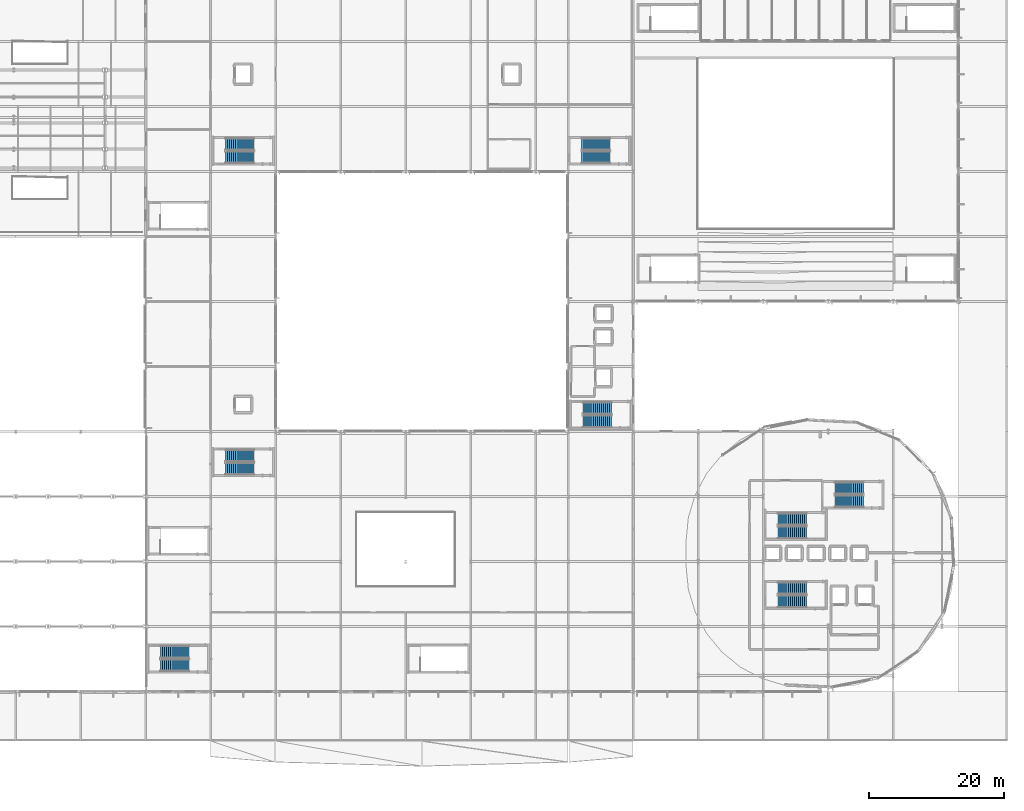
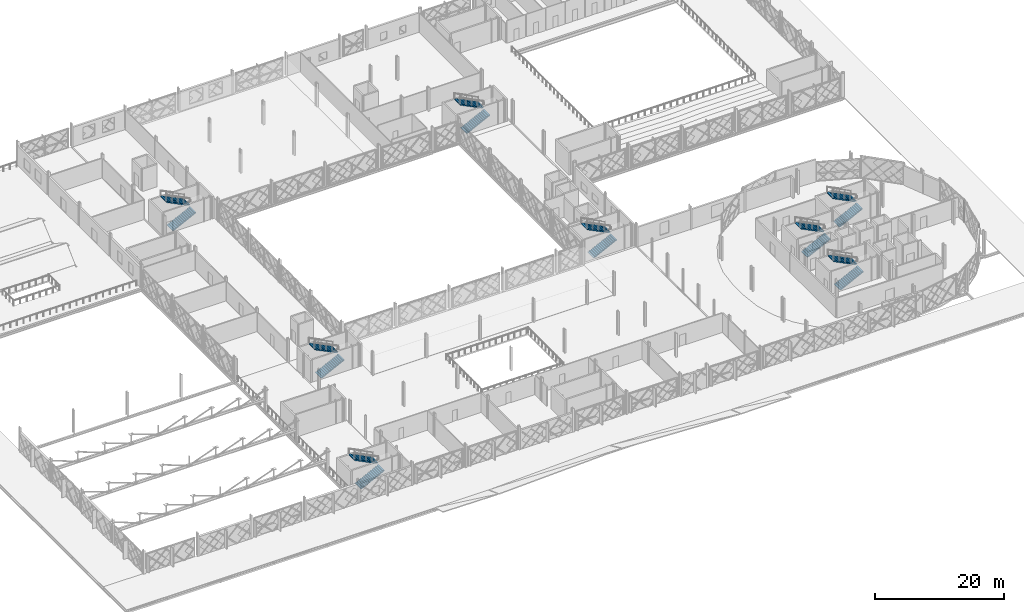
# One storey, part 73 of 101: 16 stair flights, 8 elements without a shape of their own.
"""IFC4 building model written with IfcOpenShell, lengths in metres."""

from ifc_helpers import new_model, si_unit, direction, frame, origin, place, context, subcontext, project, spatial, polyline, outline, extrude, material, layer, layer_set, type_object, element, aggregate, save


model = new_model("IFC4")

# Units and contexts
model_context = context("Model", 3, precision=1e-05, world=origin(), true_north=direction((0.0, 1.0)))
body_context = subcontext(model_context, "Body", "Model", "MODEL_VIEW")
ifc_project = project(units=[si_unit("LENGTHUNIT", "METRE"), si_unit("AREAUNIT", "SQUARE_METRE"), si_unit("VOLUMEUNIT", "CUBIC_METRE"), si_unit("PLANEANGLEUNIT", "RADIAN"), si_unit("MASSUNIT", "GRAM", prefix="KILO")], contexts=[model_context])

# Site, building, storey
site_placement = place(None, origin())
site = spatial("IfcSite", under=ifc_project, at=site_placement, CompositionType="ELEMENT")
building_placement = place(site_placement, origin())
building = spatial("IfcBuilding", under=site, at=building_placement, Name="Zevrakil Square Congress Hotel", CompositionType="ELEMENT")
storey_placement = place(building_placement, frame((0.0, 0.0, 5.39990234375)))
storey = spatial("IfcBuildingStorey", under=building, at=storey_placement, Name="L02", CompositionType="ELEMENT", Elevation=5.39990234375)

# Stair, stair flights
ifc_material_1 = material(Name="Concrete C35/45", Category="concrete")
stair_type = type_object("IfcStairType", Name="STR-DOGLEG-180", PredefinedType="HALF_TURN_STAIR", material=ifc_material_1)
stair_1_placement = place(storey_placement, origin())
stair_1 = element("IfcStair", 1, at=stair_1_placement, inside=storey, type_object=stair_type, Name="L02 Protected exit stair ST01", PredefinedType="HALF_TURN_STAIR")
ifc_material_2 = material(Name="Concrete C35/45", Category="concrete")
ifc_layer = layer(ifc_material_2, 0.159912109375)
ifc_layer_set = layer_set([ifc_layer], Name="Concrete C35/45")
stair_flight_type = type_object("IfcStairFlightType", Name="SFL-STRAIGHT-180", PredefinedType="STRAIGHT", material=ifc_layer_set)
stair_flight_1_placement = place(storey_placement, frame((139.0, 20.5, 0.0), z_axis=(0.0, 0.0, 1.0), x_axis=(1.0, 0.0, 0.0)))
stair_flight_1 = element("IfcStairFlight", 2, at=stair_flight_1_placement, type_object=stair_flight_type, Name="ST01 flight 1", NumberOfRisers=15, NumberOfTreads=14, PredefinedType="STRAIGHT", RiserHeight=0.15, TreadLength=0.3, context=body_context, shape_type="SweptSolid", body=[
    extrude(outline(polyline([(0.0, 0.0), (0.0, 0.14990234375), (0.300048828125, 0.14990234375), (0.300048828125, 0.300048828125), (0.60009765625, 0.300048828125), (0.60009765625, 0.449951171875), (0.89990234375, 0.449951171875), (0.89990234375, 0.60009765625), (1.199951171875, 0.60009765625), (1.199951171875, 0.75), (1.5, 0.75), (1.5, 0.89990234375), (1.800048828125, 0.89990234375), (1.800048828125, 1.050048828125), (2.10009765625, 1.050048828125), (2.10009765625, 1.199951171875), (2.39990234375, 1.199951171875), (2.39990234375, 1.35009765625), (2.699951171875, 1.35009765625), (2.699951171875, 1.5), (3.0, 1.5), (3.0, 1.64990234375), (3.300048828125, 1.64990234375), (3.300048828125, 1.800048828125), (3.60009765625, 1.800048828125), (3.60009765625, 1.949951171875), (3.89990234375, 1.949951171875), (3.89990234375, 2.10009765625), (4.199951171875, 2.10009765625), (4.199951171875, 2.25), (4.199951171875, 1.932373046875), (0.335205078125, 0.0), (0.0, 0.0)])), frame((0.0, 0.89990234375, 0.0), z_axis=(0.0, -1.0, 0.0), x_axis=(1.0, 0.0, 0.0)), (0.0, 0.0, 1.0), 1.800048828125),
])
stair_flight_2_placement = place(storey_placement, frame((143.199951171875, 22.449951171875, 2.25), z_axis=(0.0, 0.0, 1.0), x_axis=(-1.0, 0.0, 0.0)))
stair_flight_2 = element("IfcStairFlight", 3, at=stair_flight_2_placement, type_object=stair_flight_type, Name="ST01 flight 2", NumberOfRisers=15, NumberOfTreads=14, PredefinedType="STRAIGHT", RiserHeight=0.15, TreadLength=0.3, context=body_context, shape_type="SweptSolid", body=[
    extrude(outline(polyline([(0.0, 0.0), (0.0, 0.14990234375), (0.300048828125, 0.14990234375), (0.300048828125, 0.300048828125), (0.60009765625, 0.300048828125), (0.60009765625, 0.449951171875), (0.89990234375, 0.449951171875), (0.89990234375, 0.60009765625), (1.199951171875, 0.60009765625), (1.199951171875, 0.75), (1.5, 0.75), (1.5, 0.89990234375), (1.800048828125, 0.89990234375), (1.800048828125, 1.050048828125), (2.10009765625, 1.050048828125), (2.10009765625, 1.199951171875), (2.39990234375, 1.199951171875), (2.39990234375, 1.35009765625), (2.699951171875, 1.35009765625), (2.699951171875, 1.5), (3.0, 1.5), (3.0, 1.64990234375), (3.300048828125, 1.64990234375), (3.300048828125, 1.800048828125), (3.60009765625, 1.800048828125), (3.60009765625, 1.949951171875), (3.89990234375, 1.949951171875), (3.89990234375, 2.10009765625), (4.199951171875, 2.10009765625), (4.199951171875, 2.25), (4.199951171875, 1.932373046875), (0.335205078125, 0.0), (0.0, 0.0)])), frame((0.0, 0.89990234375, 0.0), z_axis=(0.0, -1.0, 0.0), x_axis=(1.0, 0.0, 0.0)), (0.0, 0.0, 1.0), 1.800048828125),
])
aggregate(stair_1, [stair_flight_1, stair_flight_2])

stair_2_placement = place(storey_placement, origin())
stair_2 = element("IfcStair", 4, at=stair_2_placement, inside=storey, type_object=stair_type, Name="L02 Protected exit stair ST02", PredefinedType="HALF_TURN_STAIR")
stair_flight_3_placement = place(storey_placement, frame((139.0, 30.699951171875, 0.0), z_axis=(0.0, 0.0, 1.0), x_axis=(1.0, 0.0, 0.0)))
stair_flight_3 = element("IfcStairFlight", 5, at=stair_flight_3_placement, type_object=stair_flight_type, Name="ST02 flight 1", NumberOfRisers=15, NumberOfTreads=14, PredefinedType="STRAIGHT", RiserHeight=0.15, TreadLength=0.3, context=body_context, shape_type="SweptSolid", body=[
    extrude(outline(polyline([(0.0, 0.0), (0.0, 0.14990234375), (0.300048828125, 0.14990234375), (0.300048828125, 0.300048828125), (0.60009765625, 0.300048828125), (0.60009765625, 0.449951171875), (0.89990234375, 0.449951171875), (0.89990234375, 0.60009765625), (1.199951171875, 0.60009765625), (1.199951171875, 0.75), (1.5, 0.75), (1.5, 0.89990234375), (1.800048828125, 0.89990234375), (1.800048828125, 1.050048828125), (2.10009765625, 1.050048828125), (2.10009765625, 1.199951171875), (2.39990234375, 1.199951171875), (2.39990234375, 1.35009765625), (2.699951171875, 1.35009765625), (2.699951171875, 1.5), (3.0, 1.5), (3.0, 1.64990234375), (3.300048828125, 1.64990234375), (3.300048828125, 1.800048828125), (3.60009765625, 1.800048828125), (3.60009765625, 1.949951171875), (3.89990234375, 1.949951171875), (3.89990234375, 2.10009765625), (4.199951171875, 2.10009765625), (4.199951171875, 2.25), (4.199951171875, 1.932373046875), (0.335205078125, 0.0), (0.0, 0.0)])), frame((0.0, 0.89990234375, 0.0), z_axis=(0.0, -1.0, 0.0), x_axis=(1.0, 0.0, 0.0)), (0.0, 0.0, 1.0), 1.800048828125),
])
stair_flight_4_placement = place(storey_placement, frame((143.199951171875, 32.64990234375, 2.25), z_axis=(0.0, 0.0, 1.0), x_axis=(-1.0, 0.0, 0.0)))
stair_flight_4 = element("IfcStairFlight", 6, at=stair_flight_4_placement, type_object=stair_flight_type, Name="ST02 flight 2", NumberOfRisers=15, NumberOfTreads=14, PredefinedType="STRAIGHT", RiserHeight=0.15, TreadLength=0.3, context=body_context, shape_type="SweptSolid", body=[
    extrude(outline(polyline([(0.0, 0.0), (0.0, 0.14990234375), (0.300048828125, 0.14990234375), (0.300048828125, 0.300048828125), (0.60009765625, 0.300048828125), (0.60009765625, 0.449951171875), (0.89990234375, 0.449951171875), (0.89990234375, 0.60009765625), (1.199951171875, 0.60009765625), (1.199951171875, 0.75), (1.5, 0.75), (1.5, 0.89990234375), (1.800048828125, 0.89990234375), (1.800048828125, 1.050048828125), (2.10009765625, 1.050048828125), (2.10009765625, 1.199951171875), (2.39990234375, 1.199951171875), (2.39990234375, 1.35009765625), (2.699951171875, 1.35009765625), (2.699951171875, 1.5), (3.0, 1.5), (3.0, 1.64990234375), (3.300048828125, 1.64990234375), (3.300048828125, 1.800048828125), (3.60009765625, 1.800048828125), (3.60009765625, 1.949951171875), (3.89990234375, 1.949951171875), (3.89990234375, 2.10009765625), (4.199951171875, 2.10009765625), (4.199951171875, 2.25), (4.199951171875, 1.932373046875), (0.335205078125, 0.0), (0.0, 0.0)])), frame((0.0, 0.89990234375, 0.0), z_axis=(0.0, -1.0, 0.0), x_axis=(1.0, 0.0, 0.0)), (0.0, 0.0, 1.0), 1.800048828125),
])
aggregate(stair_2, [stair_flight_3, stair_flight_4])

stair_3_placement = place(storey_placement, origin())
stair_3 = element("IfcStair", 7, at=stair_3_placement, inside=storey, type_object=stair_type, Name="L02 Protected exit stair ST03", PredefinedType="HALF_TURN_STAIR")
stair_flight_5_placement = place(storey_placement, frame((147.39990234375, 35.300048828125, 0.0), z_axis=(0.0, 0.0, 1.0), x_axis=(1.0, 0.0, 0.0)))
stair_flight_5 = element("IfcStairFlight", 8, at=stair_flight_5_placement, type_object=stair_flight_type, Name="ST03 flight 1", NumberOfRisers=15, NumberOfTreads=14, PredefinedType="STRAIGHT", RiserHeight=0.15, TreadLength=0.3, context=body_context, shape_type="SweptSolid", body=[
    extrude(outline(polyline([(0.0, 0.0), (0.0, 0.14990234375), (0.300048828125, 0.14990234375), (0.300048828125, 0.300048828125), (0.60009765625, 0.300048828125), (0.60009765625, 0.449951171875), (0.89990234375, 0.449951171875), (0.89990234375, 0.60009765625), (1.199951171875, 0.60009765625), (1.199951171875, 0.75), (1.5, 0.75), (1.5, 0.89990234375), (1.800048828125, 0.89990234375), (1.800048828125, 1.050048828125), (2.10009765625, 1.050048828125), (2.10009765625, 1.199951171875), (2.39990234375, 1.199951171875), (2.39990234375, 1.35009765625), (2.699951171875, 1.35009765625), (2.699951171875, 1.5), (3.0, 1.5), (3.0, 1.64990234375), (3.300048828125, 1.64990234375), (3.300048828125, 1.800048828125), (3.60009765625, 1.800048828125), (3.60009765625, 1.949951171875), (3.89990234375, 1.949951171875), (3.89990234375, 2.10009765625), (4.199951171875, 2.10009765625), (4.199951171875, 2.25), (4.199951171875, 1.932373046875), (0.335205078125, 0.0), (0.0, 0.0)])), frame((0.0, 0.89990234375, 0.0), z_axis=(0.0, -1.0, 0.0), x_axis=(1.0, 0.0, 0.0)), (0.0, 0.0, 1.0), 1.800048828125),
])
stair_flight_6_placement = place(storey_placement, frame((151.60009765625, 37.25, 2.25), z_axis=(0.0, 0.0, 1.0), x_axis=(-1.0, 0.0, 0.0)))
stair_flight_6 = element("IfcStairFlight", 9, at=stair_flight_6_placement, type_object=stair_flight_type, Name="ST03 flight 2", NumberOfRisers=15, NumberOfTreads=14, PredefinedType="STRAIGHT", RiserHeight=0.15, TreadLength=0.3, context=body_context, shape_type="SweptSolid", body=[
    extrude(outline(polyline([(0.0, 0.0), (0.0, 0.14990234375), (0.300048828125, 0.14990234375), (0.300048828125, 0.300048828125), (0.60009765625, 0.300048828125), (0.60009765625, 0.449951171875), (0.89990234375, 0.449951171875), (0.89990234375, 0.60009765625), (1.199951171875, 0.60009765625), (1.199951171875, 0.75), (1.5, 0.75), (1.5, 0.89990234375), (1.800048828125, 0.89990234375), (1.800048828125, 1.050048828125), (2.10009765625, 1.050048828125), (2.10009765625, 1.199951171875), (2.39990234375, 1.199951171875), (2.39990234375, 1.35009765625), (2.699951171875, 1.35009765625), (2.699951171875, 1.5), (3.0, 1.5), (3.0, 1.64990234375), (3.300048828125, 1.64990234375), (3.300048828125, 1.800048828125), (3.60009765625, 1.800048828125), (3.60009765625, 1.949951171875), (3.89990234375, 1.949951171875), (3.89990234375, 2.10009765625), (4.199951171875, 2.10009765625), (4.199951171875, 2.25), (4.199951171875, 1.932373046875), (0.335205078125, 0.0), (0.0, 0.0)])), frame((0.0, 0.89990234375, 0.0), z_axis=(0.0, -1.0, 0.0), x_axis=(1.0, 0.0, 0.0)), (0.0, 0.0, 1.0), 1.800048828125),
])
aggregate(stair_3, [stair_flight_5, stair_flight_6])

stair_4_placement = place(storey_placement, origin())
stair_4 = element("IfcStair", 10, at=stair_4_placement, inside=storey, type_object=stair_type, Name="L02 Protected exit stair ST04", PredefinedType="HALF_TURN_STAIR")
stair_flight_7_placement = place(storey_placement, frame((57.39990234375, 40.10009765625, 0.0), z_axis=(0.0, 0.0, 1.0), x_axis=(1.0, 0.0, 0.0)))
stair_flight_7 = element("IfcStairFlight", 11, at=stair_flight_7_placement, type_object=stair_flight_type, Name="ST04 flight 1", NumberOfRisers=15, NumberOfTreads=14, PredefinedType="STRAIGHT", RiserHeight=0.15, TreadLength=0.3, context=body_context, shape_type="SweptSolid", body=[
    extrude(outline(polyline([(0.0, 0.0), (0.0, 0.14990234375), (0.300048828125, 0.14990234375), (0.300048828125, 0.300048828125), (0.60009765625, 0.300048828125), (0.60009765625, 0.449951171875), (0.89990234375, 0.449951171875), (0.89990234375, 0.60009765625), (1.199951171875, 0.60009765625), (1.199951171875, 0.75), (1.5, 0.75), (1.5, 0.89990234375), (1.800048828125, 0.89990234375), (1.800048828125, 1.050048828125), (2.10009765625, 1.050048828125), (2.10009765625, 1.199951171875), (2.39990234375, 1.199951171875), (2.39990234375, 1.35009765625), (2.699951171875, 1.35009765625), (2.699951171875, 1.5), (3.0, 1.5), (3.0, 1.64990234375), (3.300048828125, 1.64990234375), (3.300048828125, 1.800048828125), (3.60009765625, 1.800048828125), (3.60009765625, 1.949951171875), (3.89990234375, 1.949951171875), (3.89990234375, 2.10009765625), (4.199951171875, 2.10009765625), (4.199951171875, 2.25), (4.199951171875, 1.932373046875), (0.335205078125, 0.0), (0.0, 0.0)])), frame((0.0, 0.89990234375, 0.0), z_axis=(0.0, -1.0, 0.0), x_axis=(1.0, 0.0, 0.0)), (0.0, 0.0, 1.0), 1.800048828125),
])
stair_flight_8_placement = place(storey_placement, frame((61.60009765625, 42.050048828125, 2.25), z_axis=(0.0, 0.0, 1.0), x_axis=(-1.0, 0.0, 0.0)))
stair_flight_8 = element("IfcStairFlight", 12, at=stair_flight_8_placement, type_object=stair_flight_type, Name="ST04 flight 2", NumberOfRisers=15, NumberOfTreads=14, PredefinedType="STRAIGHT", RiserHeight=0.15, TreadLength=0.3, context=body_context, shape_type="SweptSolid", body=[
    extrude(outline(polyline([(0.0, 0.0), (0.0, 0.14990234375), (0.300048828125, 0.14990234375), (0.300048828125, 0.300048828125), (0.60009765625, 0.300048828125), (0.60009765625, 0.449951171875), (0.89990234375, 0.449951171875), (0.89990234375, 0.60009765625), (1.199951171875, 0.60009765625), (1.199951171875, 0.75), (1.5, 0.75), (1.5, 0.89990234375), (1.800048828125, 0.89990234375), (1.800048828125, 1.050048828125), (2.10009765625, 1.050048828125), (2.10009765625, 1.199951171875), (2.39990234375, 1.199951171875), (2.39990234375, 1.35009765625), (2.699951171875, 1.35009765625), (2.699951171875, 1.5), (3.0, 1.5), (3.0, 1.64990234375), (3.300048828125, 1.64990234375), (3.300048828125, 1.800048828125), (3.60009765625, 1.800048828125), (3.60009765625, 1.949951171875), (3.89990234375, 1.949951171875), (3.89990234375, 2.10009765625), (4.199951171875, 2.10009765625), (4.199951171875, 2.25), (4.199951171875, 1.932373046875), (0.335205078125, 0.0), (0.0, 0.0)])), frame((0.0, 0.89990234375, 0.0), z_axis=(0.0, -1.0, 0.0), x_axis=(1.0, 0.0, 0.0)), (0.0, 0.0, 1.0), 1.800048828125),
])
aggregate(stair_4, [stair_flight_7, stair_flight_8])

stair_5_placement = place(storey_placement, origin())
stair_5 = element("IfcStair", 13, at=stair_5_placement, inside=storey, type_object=stair_type, Name="L02 Protected exit stair ST05", PredefinedType="HALF_TURN_STAIR")
stair_flight_9_placement = place(storey_placement, frame((57.39990234375, 86.10009765625, 0.0), z_axis=(0.0, 0.0, 1.0), x_axis=(1.0, 0.0, 0.0)))
stair_flight_9 = element("IfcStairFlight", 14, at=stair_flight_9_placement, type_object=stair_flight_type, Name="ST05 flight 1", NumberOfRisers=15, NumberOfTreads=14, PredefinedType="STRAIGHT", RiserHeight=0.15, TreadLength=0.3, context=body_context, shape_type="SweptSolid", body=[
    extrude(outline(polyline([(0.0, 0.0), (0.0, 0.14990234375), (0.300048828125, 0.14990234375), (0.300048828125, 0.300048828125), (0.60009765625, 0.300048828125), (0.60009765625, 0.449951171875), (0.89990234375, 0.449951171875), (0.89990234375, 0.60009765625), (1.199951171875, 0.60009765625), (1.199951171875, 0.75), (1.5, 0.75), (1.5, 0.89990234375), (1.800048828125, 0.89990234375), (1.800048828125, 1.050048828125), (2.10009765625, 1.050048828125), (2.10009765625, 1.199951171875), (2.39990234375, 1.199951171875), (2.39990234375, 1.35009765625), (2.699951171875, 1.35009765625), (2.699951171875, 1.5), (3.0, 1.5), (3.0, 1.64990234375), (3.300048828125, 1.64990234375), (3.300048828125, 1.800048828125), (3.60009765625, 1.800048828125), (3.60009765625, 1.949951171875), (3.89990234375, 1.949951171875), (3.89990234375, 2.10009765625), (4.199951171875, 2.10009765625), (4.199951171875, 2.25), (4.199951171875, 1.932373046875), (0.335205078125, 0.0), (0.0, 0.0)])), frame((0.0, 0.89990234375, 0.0), z_axis=(0.0, -1.0, 0.0), x_axis=(1.0, 0.0, 0.0)), (0.0, 0.0, 1.0), 1.800048828125),
])
stair_flight_10_placement = place(storey_placement, frame((61.60009765625, 88.050048828125, 2.25), z_axis=(0.0, 0.0, 1.0), x_axis=(-1.0, 0.0, 0.0)))
stair_flight_10 = element("IfcStairFlight", 15, at=stair_flight_10_placement, type_object=stair_flight_type, Name="ST05 flight 2", NumberOfRisers=15, NumberOfTreads=14, PredefinedType="STRAIGHT", RiserHeight=0.15, TreadLength=0.3, context=body_context, shape_type="SweptSolid", body=[
    extrude(outline(polyline([(0.0, 0.0), (0.0, 0.14990234375), (0.300048828125, 0.14990234375), (0.300048828125, 0.300048828125), (0.60009765625, 0.300048828125), (0.60009765625, 0.449951171875), (0.89990234375, 0.449951171875), (0.89990234375, 0.60009765625), (1.199951171875, 0.60009765625), (1.199951171875, 0.75), (1.5, 0.75), (1.5, 0.89990234375), (1.800048828125, 0.89990234375), (1.800048828125, 1.050048828125), (2.10009765625, 1.050048828125), (2.10009765625, 1.199951171875), (2.39990234375, 1.199951171875), (2.39990234375, 1.35009765625), (2.699951171875, 1.35009765625), (2.699951171875, 1.5), (3.0, 1.5), (3.0, 1.64990234375), (3.300048828125, 1.64990234375), (3.300048828125, 1.800048828125), (3.60009765625, 1.800048828125), (3.60009765625, 1.949951171875), (3.89990234375, 1.949951171875), (3.89990234375, 2.10009765625), (4.199951171875, 2.10009765625), (4.199951171875, 2.25), (4.199951171875, 1.932373046875), (0.335205078125, 0.0), (0.0, 0.0)])), frame((0.0, 0.89990234375, 0.0), z_axis=(0.0, -1.0, 0.0), x_axis=(1.0, 0.0, 0.0)), (0.0, 0.0, 1.0), 1.800048828125),
])
aggregate(stair_5, [stair_flight_9, stair_flight_10])

stair_6_placement = place(storey_placement, origin())
stair_6 = element("IfcStair", 16, at=stair_6_placement, inside=storey, type_object=stair_type, Name="L02 Protected exit stair ST06", PredefinedType="HALF_TURN_STAIR")
stair_flight_11_placement = place(storey_placement, frame((110.0, 86.10009765625, 0.0), z_axis=(0.0, 0.0, 1.0), x_axis=(1.0, 0.0, 0.0)))
stair_flight_11 = element("IfcStairFlight", 17, at=stair_flight_11_placement, type_object=stair_flight_type, Name="ST06 flight 1", NumberOfRisers=15, NumberOfTreads=14, PredefinedType="STRAIGHT", RiserHeight=0.15, TreadLength=0.3, context=body_context, shape_type="SweptSolid", body=[
    extrude(outline(polyline([(0.0, 0.0), (0.0, 0.14990234375), (0.300048828125, 0.14990234375), (0.300048828125, 0.300048828125), (0.60009765625, 0.300048828125), (0.60009765625, 0.449951171875), (0.89990234375, 0.449951171875), (0.89990234375, 0.60009765625), (1.199951171875, 0.60009765625), (1.199951171875, 0.75), (1.5, 0.75), (1.5, 0.89990234375), (1.800048828125, 0.89990234375), (1.800048828125, 1.050048828125), (2.10009765625, 1.050048828125), (2.10009765625, 1.199951171875), (2.39990234375, 1.199951171875), (2.39990234375, 1.35009765625), (2.699951171875, 1.35009765625), (2.699951171875, 1.5), (3.0, 1.5), (3.0, 1.64990234375), (3.300048828125, 1.64990234375), (3.300048828125, 1.800048828125), (3.60009765625, 1.800048828125), (3.60009765625, 1.949951171875), (3.89990234375, 1.949951171875), (3.89990234375, 2.10009765625), (4.199951171875, 2.10009765625), (4.199951171875, 2.25), (4.199951171875, 1.932373046875), (0.335205078125, 0.0), (0.0, 0.0)])), frame((0.0, 0.89990234375, 0.0), z_axis=(0.0, -1.0, 0.0), x_axis=(1.0, 0.0, 0.0)), (0.0, 0.0, 1.0), 1.800048828125),
])
stair_flight_12_placement = place(storey_placement, frame((114.199951171875, 88.050048828125, 2.25), z_axis=(0.0, 0.0, 1.0), x_axis=(-1.0, 0.0, 0.0)))
stair_flight_12 = element("IfcStairFlight", 18, at=stair_flight_12_placement, type_object=stair_flight_type, Name="ST06 flight 2", NumberOfRisers=15, NumberOfTreads=14, PredefinedType="STRAIGHT", RiserHeight=0.15, TreadLength=0.3, context=body_context, shape_type="SweptSolid", body=[
    extrude(outline(polyline([(0.0, 0.0), (0.0, 0.14990234375), (0.300048828125, 0.14990234375), (0.300048828125, 0.300048828125), (0.60009765625, 0.300048828125), (0.60009765625, 0.449951171875), (0.89990234375, 0.449951171875), (0.89990234375, 0.60009765625), (1.199951171875, 0.60009765625), (1.199951171875, 0.75), (1.5, 0.75), (1.5, 0.89990234375), (1.800048828125, 0.89990234375), (1.800048828125, 1.050048828125), (2.10009765625, 1.050048828125), (2.10009765625, 1.199951171875), (2.39990234375, 1.199951171875), (2.39990234375, 1.35009765625), (2.699951171875, 1.35009765625), (2.699951171875, 1.5), (3.0, 1.5), (3.0, 1.64990234375), (3.300048828125, 1.64990234375), (3.300048828125, 1.800048828125), (3.60009765625, 1.800048828125), (3.60009765625, 1.949951171875), (3.89990234375, 1.949951171875), (3.89990234375, 2.10009765625), (4.199951171875, 2.10009765625), (4.199951171875, 2.25), (4.199951171875, 1.932373046875), (0.335205078125, 0.0), (0.0, 0.0)])), frame((0.0, 0.89990234375, 0.0), z_axis=(0.0, -1.0, 0.0), x_axis=(1.0, 0.0, 0.0)), (0.0, 0.0, 1.0), 1.800048828125),
])
aggregate(stair_6, [stair_flight_11, stair_flight_12])

stair_7_placement = place(storey_placement, origin())
stair_7 = element("IfcStair", 19, at=stair_7_placement, inside=storey, type_object=stair_type, Name="L02 Protected exit stair ST07", PredefinedType="HALF_TURN_STAIR")
stair_flight_13_placement = place(storey_placement, frame((110.199951171875, 47.10009765625, 0.0), z_axis=(0.0, 0.0, 1.0), x_axis=(1.0, 0.0, 0.0)))
stair_flight_13 = element("IfcStairFlight", 20, at=stair_flight_13_placement, type_object=stair_flight_type, Name="ST07 flight 1", NumberOfRisers=15, NumberOfTreads=14, PredefinedType="STRAIGHT", RiserHeight=0.15, TreadLength=0.3, context=body_context, shape_type="SweptSolid", body=[
    extrude(outline(polyline([(0.0, 0.0), (0.0, 0.14990234375), (0.300048828125, 0.14990234375), (0.300048828125, 0.300048828125), (0.60009765625, 0.300048828125), (0.60009765625, 0.449951171875), (0.89990234375, 0.449951171875), (0.89990234375, 0.60009765625), (1.199951171875, 0.60009765625), (1.199951171875, 0.75), (1.5, 0.75), (1.5, 0.89990234375), (1.800048828125, 0.89990234375), (1.800048828125, 1.050048828125), (2.10009765625, 1.050048828125), (2.10009765625, 1.199951171875), (2.39990234375, 1.199951171875), (2.39990234375, 1.35009765625), (2.699951171875, 1.35009765625), (2.699951171875, 1.5), (3.0, 1.5), (3.0, 1.64990234375), (3.300048828125, 1.64990234375), (3.300048828125, 1.800048828125), (3.60009765625, 1.800048828125), (3.60009765625, 1.949951171875), (3.89990234375, 1.949951171875), (3.89990234375, 2.10009765625), (4.199951171875, 2.10009765625), (4.199951171875, 2.25), (4.199951171875, 1.932373046875), (0.335205078125, 0.0), (0.0, 0.0)])), frame((0.0, 0.89990234375, 0.0), z_axis=(0.0, -1.0, 0.0), x_axis=(1.0, 0.0, 0.0)), (0.0, 0.0, 1.0), 1.800048828125),
])
stair_flight_14_placement = place(storey_placement, frame((114.39990234375, 49.050048828125, 2.25), z_axis=(0.0, 0.0, 1.0), x_axis=(-1.0, 0.0, 0.0)))
stair_flight_14 = element("IfcStairFlight", 21, at=stair_flight_14_placement, type_object=stair_flight_type, Name="ST07 flight 2", NumberOfRisers=15, NumberOfTreads=14, PredefinedType="STRAIGHT", RiserHeight=0.15, TreadLength=0.3, context=body_context, shape_type="SweptSolid", body=[
    extrude(outline(polyline([(0.0, 0.0), (0.0, 0.14990234375), (0.300048828125, 0.14990234375), (0.300048828125, 0.300048828125), (0.60009765625, 0.300048828125), (0.60009765625, 0.449951171875), (0.89990234375, 0.449951171875), (0.89990234375, 0.60009765625), (1.199951171875, 0.60009765625), (1.199951171875, 0.75), (1.5, 0.75), (1.5, 0.89990234375), (1.800048828125, 0.89990234375), (1.800048828125, 1.050048828125), (2.10009765625, 1.050048828125), (2.10009765625, 1.199951171875), (2.39990234375, 1.199951171875), (2.39990234375, 1.35009765625), (2.699951171875, 1.35009765625), (2.699951171875, 1.5), (3.0, 1.5), (3.0, 1.64990234375), (3.300048828125, 1.64990234375), (3.300048828125, 1.800048828125), (3.60009765625, 1.800048828125), (3.60009765625, 1.949951171875), (3.89990234375, 1.949951171875), (3.89990234375, 2.10009765625), (4.199951171875, 2.10009765625), (4.199951171875, 2.25), (4.199951171875, 1.932373046875), (0.335205078125, 0.0), (0.0, 0.0)])), frame((0.0, 0.89990234375, 0.0), z_axis=(0.0, -1.0, 0.0), x_axis=(1.0, 0.0, 0.0)), (0.0, 0.0, 1.0), 1.800048828125),
])
aggregate(stair_7, [stair_flight_13, stair_flight_14])

stair_8_placement = place(storey_placement, origin())
stair_8 = element("IfcStair", 22, at=stair_8_placement, inside=storey, type_object=stair_type, Name="L02 Protected exit stair ST12", PredefinedType="HALF_TURN_STAIR")
stair_flight_15_placement = place(storey_placement, frame((47.800048828125, 11.10009765625, 0.0), z_axis=(0.0, 0.0, 1.0), x_axis=(1.0, 0.0, 0.0)))
stair_flight_15 = element("IfcStairFlight", 23, at=stair_flight_15_placement, type_object=stair_flight_type, Name="ST12 flight 1", NumberOfRisers=15, NumberOfTreads=14, PredefinedType="STRAIGHT", RiserHeight=0.15, TreadLength=0.3, context=body_context, shape_type="SweptSolid", body=[
    extrude(outline(polyline([(0.0, 0.0), (0.0, 0.14990234375), (0.300048828125, 0.14990234375), (0.300048828125, 0.300048828125), (0.60009765625, 0.300048828125), (0.60009765625, 0.449951171875), (0.89990234375, 0.449951171875), (0.89990234375, 0.60009765625), (1.199951171875, 0.60009765625), (1.199951171875, 0.75), (1.5, 0.75), (1.5, 0.89990234375), (1.800048828125, 0.89990234375), (1.800048828125, 1.050048828125), (2.10009765625, 1.050048828125), (2.10009765625, 1.199951171875), (2.39990234375, 1.199951171875), (2.39990234375, 1.35009765625), (2.699951171875, 1.35009765625), (2.699951171875, 1.5), (3.0, 1.5), (3.0, 1.64990234375), (3.300048828125, 1.64990234375), (3.300048828125, 1.800048828125), (3.60009765625, 1.800048828125), (3.60009765625, 1.949951171875), (3.89990234375, 1.949951171875), (3.89990234375, 2.10009765625), (4.199951171875, 2.10009765625), (4.199951171875, 2.25), (4.199951171875, 1.932373046875), (0.335205078125, 0.0), (0.0, 0.0)])), frame((0.0, 0.89990234375, 0.0), z_axis=(0.0, -1.0, 0.0), x_axis=(1.0, 0.0, 0.0)), (0.0, 0.0, 1.0), 1.800048828125),
])
stair_flight_16_placement = place(storey_placement, frame((52.0, 13.050048828125, 2.25), z_axis=(0.0, 0.0, 1.0), x_axis=(-1.0, 0.0, 0.0)))
stair_flight_16 = element("IfcStairFlight", 24, at=stair_flight_16_placement, type_object=stair_flight_type, Name="ST12 flight 2", NumberOfRisers=15, NumberOfTreads=14, PredefinedType="STRAIGHT", RiserHeight=0.15, TreadLength=0.3, context=body_context, shape_type="SweptSolid", body=[
    extrude(outline(polyline([(0.0, 0.0), (0.0, 0.14990234375), (0.300048828125, 0.14990234375), (0.300048828125, 0.300048828125), (0.60009765625, 0.300048828125), (0.60009765625, 0.449951171875), (0.89990234375, 0.449951171875), (0.89990234375, 0.60009765625), (1.199951171875, 0.60009765625), (1.199951171875, 0.75), (1.5, 0.75), (1.5, 0.89990234375), (1.800048828125, 0.89990234375), (1.800048828125, 1.050048828125), (2.10009765625, 1.050048828125), (2.10009765625, 1.199951171875), (2.39990234375, 1.199951171875), (2.39990234375, 1.35009765625), (2.699951171875, 1.35009765625), (2.699951171875, 1.5), (3.0, 1.5), (3.0, 1.64990234375), (3.300048828125, 1.64990234375), (3.300048828125, 1.800048828125), (3.60009765625, 1.800048828125), (3.60009765625, 1.949951171875), (3.89990234375, 1.949951171875), (3.89990234375, 2.10009765625), (4.199951171875, 2.10009765625), (4.199951171875, 2.25), (4.199951171875, 1.932373046875), (0.335205078125, 0.0), (0.0, 0.0)])), frame((0.0, 0.89990234375, 0.0), z_axis=(0.0, -1.0, 0.0), x_axis=(1.0, 0.0, 0.0)), (0.0, 0.0, 1.0), 1.800048828125),
])
aggregate(stair_8, [stair_flight_15, stair_flight_16])

save(model, "model.ifc")
